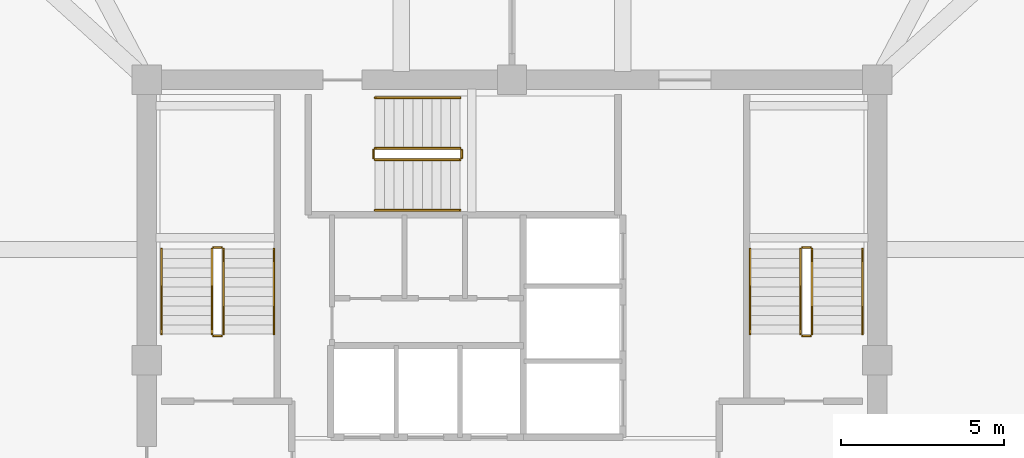
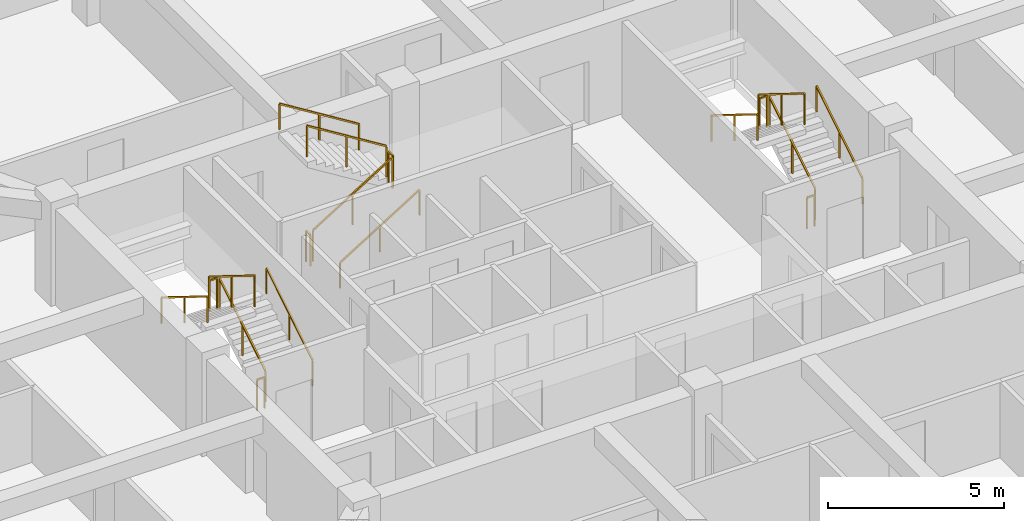
# One storey, part 13 of 13: 18 railings.
"""IFC4 building model written with IfcOpenShell, lengths in metres."""

from ifc_helpers import new_model, si_unit, derived_unit, direction, frame, origin, origin_2d, place, context, subcontext, project, spatial, rectangle, extrude, material, type_object, element, save


model = new_model("IFC4")

# Units and contexts
model_context = context("Model", 3, precision=1e-05, world=origin(), true_north=direction((0.0, 1.0)))
body_context = subcontext(model_context, "Body", "Model", "MODEL_VIEW")
ifc_project = project(units=[si_unit("LENGTHUNIT", "METRE"), si_unit("AREAUNIT", "SQUARE_METRE"), si_unit("VOLUMEUNIT", "CUBIC_METRE"), si_unit("PLANEANGLEUNIT", "RADIAN"), si_unit("MASSUNIT", "GRAM", prefix="KILO"), derived_unit("THERMALTRANSMITTANCEUNIT", [(si_unit("POWERUNIT", "WATT"), 1), (si_unit("LENGTHUNIT", "METRE"), -2), (si_unit("THERMODYNAMICTEMPERATUREUNIT", "KELVIN"), -1)])], contexts=[model_context])

# Site, building, storey
site_placement = place(None, origin())
site = spatial("IfcSite", under=ifc_project, at=site_placement, CompositionType="ELEMENT")
building_placement = place(site_placement, origin())
building = spatial("IfcBuilding", under=site, at=building_placement, Name="Koralith Skygarden Medical Center", CompositionType="ELEMENT")
storey_placement = place(building_placement, frame((0.0, 0.0, 250.02001953125)))
storey = spatial("IfcBuildingStorey", under=building, at=storey_placement, Name="L64", CompositionType="ELEMENT", Elevation=250.02001953125)

# Railings
ifc_material = material(Name="Steel ASTM A500 Grade C", Category="steel")
railing_type_1 = type_object("IfcRailingType", Name="Stair Flight Tubular Handrail 920", PredefinedType="HANDRAIL", material=ifc_material)
railing_1_placement = place(storey_placement, frame((29.699951171875, 26.699951171875, 0.179931640625)))
element("IfcRailing", 1, at=railing_1_placement, inside=storey, type_object=railing_type_1, Name="L64 ST1 stair handrail 1", PredefinedType="HANDRAIL", context=body_context, shape_type="SweptSolid", body=[
    extrude(rectangle(XDim=0.050048828125, YDim=0.050048828125, at=origin_2d()), frame((0.0, 0.001708984375, 0.89599609375), z_axis=(0.0, 0.849632798774, 0.527374731332), x_axis=(-1.0, 0.0, 0.0)), (0.0, 0.0, 1.0), 3.068115234375),
    extrude(rectangle(XDim=0.0419921875, YDim=0.0419921875, at=origin_2d()), origin(), (0.0, 0.0, 1.0), 0.867919921875),
    extrude(rectangle(XDim=0.0419921875, YDim=0.0419921875, at=origin_2d()), frame((0.0, 1.30517578125, 0.81005859375)), (0.0, 0.0, 1.0), 0.867919921875),
    extrude(rectangle(XDim=0.0419921875, YDim=0.0419921875, at=origin_2d()), frame((0.0, 2.610107421875, 1.6201171875)), (0.0, 0.0, 1.0), 0.867919921875),
])
railing_2_placement = place(storey_placement, frame((26.25, 29.31005859375, 1.97998046875)))
element("IfcRailing", 2, at=railing_2_placement, inside=storey, type_object=railing_type_1, Name="L64 ST1 stair handrail 2", PredefinedType="HANDRAIL", context=body_context, shape_type="SweptSolid", body=[
    extrude(rectangle(XDim=0.050048828125, YDim=0.050048828125, at=origin_2d()), frame((0.0, -0.001708984375, 0.89599609375), z_axis=(0.0, -0.849632798774, 0.527374731332), x_axis=(1.0, 0.0, 0.0)), (0.0, 0.0, 1.0), 3.068115234375),
    extrude(rectangle(XDim=0.0419921875, YDim=0.0419921875, at=origin_2d()), origin(), (0.0, 0.0, 1.0), 0.867919921875),
    extrude(rectangle(XDim=0.0419921875, YDim=0.0419921875, at=origin_2d()), frame((0.0, -1.30517578125, 0.81005859375)), (0.0, 0.0, 1.0), 0.867919921875),
    extrude(rectangle(XDim=0.0419921875, YDim=0.0419921875, at=origin_2d()), frame((0.0, -2.610107421875, 1.6201171875)), (0.0, 0.0, 1.0), 0.867919921875),
])
railing_3_placement = place(storey_placement, frame((47.75, 26.699951171875, 0.179931640625)))
element("IfcRailing", 3, at=railing_3_placement, inside=storey, type_object=railing_type_1, Name="L64 ST2 stair handrail 1", PredefinedType="HANDRAIL", context=body_context, shape_type="SweptSolid", body=[
    extrude(rectangle(XDim=0.050048828125, YDim=0.050048828125, at=origin_2d()), frame((0.0, 0.001708984375, 0.89599609375), z_axis=(0.0, 0.849632798774, 0.527374731332), x_axis=(-1.0, 0.0, 0.0)), (0.0, 0.0, 1.0), 3.068115234375),
    extrude(rectangle(XDim=0.0419921875, YDim=0.0419921875, at=origin_2d()), origin(), (0.0, 0.0, 1.0), 0.867919921875),
    extrude(rectangle(XDim=0.0419921875, YDim=0.0419921875, at=origin_2d()), frame((0.0, 1.30517578125, 0.81005859375)), (0.0, 0.0, 1.0), 0.867919921875),
    extrude(rectangle(XDim=0.0419921875, YDim=0.0419921875, at=origin_2d()), frame((0.0, 2.610107421875, 1.6201171875)), (0.0, 0.0, 1.0), 0.867919921875),
])
railing_4_placement = place(storey_placement, frame((44.300048828125, 29.31005859375, 1.97998046875)))
element("IfcRailing", 4, at=railing_4_placement, inside=storey, type_object=railing_type_1, Name="L64 ST2 stair handrail 2", PredefinedType="HANDRAIL", context=body_context, shape_type="SweptSolid", body=[
    extrude(rectangle(XDim=0.050048828125, YDim=0.050048828125, at=origin_2d()), frame((0.0, -0.001708984375, 0.89599609375), z_axis=(0.0, -0.849632798774, 0.527374731332), x_axis=(1.0, 0.0, 0.0)), (0.0, 0.0, 1.0), 3.068115234375),
    extrude(rectangle(XDim=0.0419921875, YDim=0.0419921875, at=origin_2d()), origin(), (0.0, 0.0, 1.0), 0.867919921875),
    extrude(rectangle(XDim=0.0419921875, YDim=0.0419921875, at=origin_2d()), frame((0.0, -1.30517578125, 0.81005859375)), (0.0, 0.0, 1.0), 0.867919921875),
    extrude(rectangle(XDim=0.0419921875, YDim=0.0419921875, at=origin_2d()), frame((0.0, -2.610107421875, 1.6201171875)), (0.0, 0.0, 1.0), 0.867919921875),
])
railing_5_placement = place(storey_placement, frame((32.800048828125, 30.5, 0.179931640625)))
element("IfcRailing", 5, at=railing_5_placement, inside=storey, type_object=railing_type_1, Name="L64 ST3 stair handrail 1", PredefinedType="HANDRAIL", context=body_context, shape_type="SweptSolid", body=[
    extrude(rectangle(XDim=0.050048828125, YDim=0.050048828125, at=origin_2d()), frame((0.001708984375, 0.0, 0.89599609375), z_axis=(0.849610693518, 0.0, 0.52741034258), x_axis=(0.0, 1.0, 0.0)), (0.0, 0.0, 1.0), 3.06787109375),
    extrude(rectangle(XDim=0.0419921875, YDim=0.0419921875, at=origin_2d()), origin(), (0.0, 0.0, 1.0), 0.867919921875),
    extrude(rectangle(XDim=0.0419921875, YDim=0.0419921875, at=origin_2d()), frame((1.304931640625, 0.0, 0.81005859375)), (0.0, 0.0, 1.0), 0.867919921875),
    extrude(rectangle(XDim=0.0419921875, YDim=0.0419921875, at=origin_2d()), frame((2.60986328125, 0.0, 1.6201171875)), (0.0, 0.0, 1.0), 0.867919921875),
])
railing_6_placement = place(storey_placement, frame((35.409912109375, 33.949951171875, 1.97998046875)))
element("IfcRailing", 6, at=railing_6_placement, inside=storey, type_object=railing_type_1, Name="L64 ST3 stair handrail 2", PredefinedType="HANDRAIL", context=body_context, shape_type="SweptSolid", body=[
    extrude(rectangle(XDim=0.050048828125, YDim=0.050048828125, at=origin_2d()), frame((-0.001708984375, 0.0, 0.89599609375), z_axis=(-0.849610693518, 0.0, 0.52741034258), x_axis=(0.0, -1.0, 0.0)), (0.0, 0.0, 1.0), 3.06787109375),
    extrude(rectangle(XDim=0.0419921875, YDim=0.0419921875, at=origin_2d()), origin(), (0.0, 0.0, 1.0), 0.867919921875),
    extrude(rectangle(XDim=0.0419921875, YDim=0.0419921875, at=origin_2d()), frame((-1.304931640625, 0.0, 0.81005859375)), (0.0, 0.0, 1.0), 0.867919921875),
    extrude(rectangle(XDim=0.0419921875, YDim=0.0419921875, at=origin_2d()), frame((-2.60986328125, 0.0, 1.6201171875)), (0.0, 0.0, 1.0), 0.867919921875),
])
railing_type_2 = type_object("IfcRailingType", Name="Stair Well Safety Guardrail 1100", PredefinedType="GUARDRAIL", material=ifc_material)
railing_7_placement = place(storey_placement, frame((28.14990234375, 26.699951171875, 0.179931640625)))
element("IfcRailing", 7, at=railing_7_placement, inside=storey, type_object=railing_type_2, Name="L64 ST1 stair guard 1", PredefinedType="GUARDRAIL", context=body_context, shape_type="SweptSolid", body=[
    extrude(rectangle(XDim=0.050048828125, YDim=0.050048828125, at=origin_2d()), frame((0.0, 0.001708984375, 1.076171875), z_axis=(0.0, 0.849632798774, 0.527374731332), x_axis=(-1.0, 0.0, 0.0)), (0.0, 0.0, 1.0), 3.068115234375),
    extrude(rectangle(XDim=0.0419921875, YDim=0.0419921875, at=origin_2d()), origin(), (0.0, 0.0, 1.0), 1.048095703125),
    extrude(rectangle(XDim=0.0419921875, YDim=0.0419921875, at=origin_2d()), frame((0.0, 1.30517578125, 0.81005859375)), (0.0, 0.0, 1.0), 1.048095703125),
    extrude(rectangle(XDim=0.0419921875, YDim=0.0419921875, at=origin_2d()), frame((0.0, 2.610107421875, 1.6201171875)), (0.0, 0.0, 1.0), 1.048095703125),
])
railing_8_placement = place(storey_placement, frame((28.10009765625, 29.360107421875, 1.800048828125)))
element("IfcRailing", 8, at=railing_8_placement, inside=storey, type_object=railing_type_2, Name="L64 ST1 stair guard 2", PredefinedType="GUARDRAIL", context=body_context, shape_type="SweptSolid", body=[
    extrude(rectangle(XDim=0.050048828125, YDim=0.050048828125, at=origin_2d()), frame((-0.001953125, 0.0, 1.0751953125), z_axis=(-1.0, 0.0, 0.0), x_axis=(0.0, -1.0, 0.0)), (0.0, 0.0, 1.0), 0.24609375),
    extrude(rectangle(XDim=0.0419921875, YDim=0.0419921875, at=origin_2d()), origin(), (0.0, 0.0, 1.0), 1.048095703125),
    extrude(rectangle(XDim=0.0419921875, YDim=0.0419921875, at=origin_2d()), frame((-0.25, 0.0, 0.0)), (0.0, 0.0, 1.0), 1.048095703125),
])
railing_9_placement = place(storey_placement, frame((27.800048828125, 29.31005859375, 1.97998046875)))
element("IfcRailing", 9, at=railing_9_placement, inside=storey, type_object=railing_type_2, Name="L64 ST1 stair guard 3", PredefinedType="GUARDRAIL", context=body_context, shape_type="SweptSolid", body=[
    extrude(rectangle(XDim=0.050048828125, YDim=0.050048828125, at=origin_2d()), frame((0.0, -0.001708984375, 1.076171875), z_axis=(0.0, -0.849632798774, 0.527374731332), x_axis=(1.0, 0.0, 0.0)), (0.0, 0.0, 1.0), 3.068115234375),
    extrude(rectangle(XDim=0.0419921875, YDim=0.0419921875, at=origin_2d()), origin(), (0.0, 0.0, 1.0), 1.048095703125),
    extrude(rectangle(XDim=0.0419921875, YDim=0.0419921875, at=origin_2d()), frame((0.0, -1.30517578125, 0.81005859375)), (0.0, 0.0, 1.0), 1.048095703125),
    extrude(rectangle(XDim=0.0419921875, YDim=0.0419921875, at=origin_2d()), frame((0.0, -2.610107421875, 1.6201171875)), (0.0, 0.0, 1.0), 1.048095703125),
])
railing_10_placement = place(storey_placement, frame((28.10009765625, 26.64990234375, 0.0)))
element("IfcRailing", 10, at=railing_10_placement, inside=storey, type_object=railing_type_2, Name="L64 ST1 stair guard 4", PredefinedType="GUARDRAIL", context=body_context, shape_type="SweptSolid", body=[
    extrude(rectangle(XDim=0.050048828125, YDim=0.050048828125, at=origin_2d()), frame((-0.001953125, 0.0, 1.0751953125), z_axis=(-1.0, 0.0, 0.0), x_axis=(0.0, -1.0, 0.0)), (0.0, 0.0, 1.0), 0.24609375),
    extrude(rectangle(XDim=0.0419921875, YDim=0.0419921875, at=origin_2d()), origin(), (0.0, 0.0, 1.0), 1.048095703125),
    extrude(rectangle(XDim=0.0419921875, YDim=0.0419921875, at=origin_2d()), frame((-0.25, 0.0, 0.0)), (0.0, 0.0, 1.0), 1.048095703125),
])
railing_11_placement = place(storey_placement, frame((46.199951171875, 26.699951171875, 0.179931640625)))
element("IfcRailing", 11, at=railing_11_placement, inside=storey, type_object=railing_type_2, Name="L64 ST2 stair guard 1", PredefinedType="GUARDRAIL", context=body_context, shape_type="SweptSolid", body=[
    extrude(rectangle(XDim=0.050048828125, YDim=0.050048828125, at=origin_2d()), frame((0.0, 0.001708984375, 1.076171875), z_axis=(0.0, 0.849632798774, 0.527374731332), x_axis=(-1.0, 0.0, 0.0)), (0.0, 0.0, 1.0), 3.068115234375),
    extrude(rectangle(XDim=0.0419921875, YDim=0.0419921875, at=origin_2d()), origin(), (0.0, 0.0, 1.0), 1.048095703125),
    extrude(rectangle(XDim=0.0419921875, YDim=0.0419921875, at=origin_2d()), frame((0.0, 1.30517578125, 0.81005859375)), (0.0, 0.0, 1.0), 1.048095703125),
    extrude(rectangle(XDim=0.0419921875, YDim=0.0419921875, at=origin_2d()), frame((0.0, 2.610107421875, 1.6201171875)), (0.0, 0.0, 1.0), 1.048095703125),
])
railing_12_placement = place(storey_placement, frame((46.14990234375, 29.360107421875, 1.800048828125)))
element("IfcRailing", 12, at=railing_12_placement, inside=storey, type_object=railing_type_2, Name="L64 ST2 stair guard 2", PredefinedType="GUARDRAIL", context=body_context, shape_type="SweptSolid", body=[
    extrude(rectangle(XDim=0.050048828125, YDim=0.050048828125, at=origin_2d()), frame((-0.001953125, 0.0, 1.0751953125), z_axis=(-1.0, 0.0, 0.0), x_axis=(0.0, -1.0, 0.0)), (0.0, 0.0, 1.0), 0.24609375),
    extrude(rectangle(XDim=0.0419921875, YDim=0.0419921875, at=origin_2d()), origin(), (0.0, 0.0, 1.0), 1.048095703125),
    extrude(rectangle(XDim=0.0419921875, YDim=0.0419921875, at=origin_2d()), frame((-0.25, 0.0, 0.0)), (0.0, 0.0, 1.0), 1.048095703125),
])
railing_13_placement = place(storey_placement, frame((45.85009765625, 29.31005859375, 1.97998046875)))
element("IfcRailing", 13, at=railing_13_placement, inside=storey, type_object=railing_type_2, Name="L64 ST2 stair guard 3", PredefinedType="GUARDRAIL", context=body_context, shape_type="SweptSolid", body=[
    extrude(rectangle(XDim=0.050048828125, YDim=0.050048828125, at=origin_2d()), frame((0.0, -0.001708984375, 1.076171875), z_axis=(0.0, -0.849632798774, 0.527374731332), x_axis=(1.0, 0.0, 0.0)), (0.0, 0.0, 1.0), 3.068115234375),
    extrude(rectangle(XDim=0.0419921875, YDim=0.0419921875, at=origin_2d()), origin(), (0.0, 0.0, 1.0), 1.048095703125),
    extrude(rectangle(XDim=0.0419921875, YDim=0.0419921875, at=origin_2d()), frame((0.0, -1.30517578125, 0.81005859375)), (0.0, 0.0, 1.0), 1.048095703125),
    extrude(rectangle(XDim=0.0419921875, YDim=0.0419921875, at=origin_2d()), frame((0.0, -2.610107421875, 1.6201171875)), (0.0, 0.0, 1.0), 1.048095703125),
])
railing_14_placement = place(storey_placement, frame((46.14990234375, 26.64990234375, 0.0)))
element("IfcRailing", 14, at=railing_14_placement, inside=storey, type_object=railing_type_2, Name="L64 ST2 stair guard 4", PredefinedType="GUARDRAIL", context=body_context, shape_type="SweptSolid", body=[
    extrude(rectangle(XDim=0.050048828125, YDim=0.050048828125, at=origin_2d()), frame((-0.001953125, 0.0, 1.0751953125), z_axis=(-1.0, 0.0, 0.0), x_axis=(0.0, -1.0, 0.0)), (0.0, 0.0, 1.0), 0.24609375),
    extrude(rectangle(XDim=0.0419921875, YDim=0.0419921875, at=origin_2d()), origin(), (0.0, 0.0, 1.0), 1.048095703125),
    extrude(rectangle(XDim=0.0419921875, YDim=0.0419921875, at=origin_2d()), frame((-0.25, 0.0, 0.0)), (0.0, 0.0, 1.0), 1.048095703125),
])
railing_15_placement = place(storey_placement, frame((32.800048828125, 32.050048828125, 0.179931640625)))
element("IfcRailing", 15, at=railing_15_placement, inside=storey, type_object=railing_type_2, Name="L64 ST3 stair guard 1", PredefinedType="GUARDRAIL", context=body_context, shape_type="SweptSolid", body=[
    extrude(rectangle(XDim=0.050048828125, YDim=0.050048828125, at=origin_2d()), frame((0.001708984375, 0.0, 1.076171875), z_axis=(0.849610693518, 0.0, 0.52741034258), x_axis=(0.0, 1.0, 0.0)), (0.0, 0.0, 1.0), 3.06787109375),
    extrude(rectangle(XDim=0.0419921875, YDim=0.0419921875, at=origin_2d()), origin(), (0.0, 0.0, 1.0), 1.048095703125),
    extrude(rectangle(XDim=0.0419921875, YDim=0.0419921875, at=origin_2d()), frame((1.304931640625, 0.0, 0.81005859375)), (0.0, 0.0, 1.0), 1.048095703125),
    extrude(rectangle(XDim=0.0419921875, YDim=0.0419921875, at=origin_2d()), frame((2.60986328125, 0.0, 1.6201171875)), (0.0, 0.0, 1.0), 1.048095703125),
])
railing_16_placement = place(storey_placement, frame((35.4599609375, 32.10009765625, 1.800048828125)))
element("IfcRailing", 16, at=railing_16_placement, inside=storey, type_object=railing_type_2, Name="L64 ST3 stair guard 2", PredefinedType="GUARDRAIL", context=body_context, shape_type="SweptSolid", body=[
    extrude(rectangle(XDim=0.050048828125, YDim=0.050048828125, at=origin_2d()), frame((0.0, 0.001953125, 1.0751953125), z_axis=(0.0, 1.0, 0.0), x_axis=(-1.0, 0.0, 0.0)), (0.0, 0.0, 1.0), 0.24609375),
    extrude(rectangle(XDim=0.0419921875, YDim=0.0419921875, at=origin_2d()), origin(), (0.0, 0.0, 1.0), 1.048095703125),
    extrude(rectangle(XDim=0.0419921875, YDim=0.0419921875, at=origin_2d()), frame((0.0, 0.25, 0.0)), (0.0, 0.0, 1.0), 1.048095703125),
])
railing_17_placement = place(storey_placement, frame((35.409912109375, 32.39990234375, 1.97998046875)))
element("IfcRailing", 17, at=railing_17_placement, inside=storey, type_object=railing_type_2, Name="L64 ST3 stair guard 3", PredefinedType="GUARDRAIL", context=body_context, shape_type="SweptSolid", body=[
    extrude(rectangle(XDim=0.050048828125, YDim=0.050048828125, at=origin_2d()), frame((-0.001708984375, 0.0, 1.076171875), z_axis=(-0.849610693518, 0.0, 0.52741034258), x_axis=(0.0, -1.0, 0.0)), (0.0, 0.0, 1.0), 3.06787109375),
    extrude(rectangle(XDim=0.0419921875, YDim=0.0419921875, at=origin_2d()), origin(), (0.0, 0.0, 1.0), 1.048095703125),
    extrude(rectangle(XDim=0.0419921875, YDim=0.0419921875, at=origin_2d()), frame((-1.304931640625, 0.0, 0.81005859375)), (0.0, 0.0, 1.0), 1.048095703125),
    extrude(rectangle(XDim=0.0419921875, YDim=0.0419921875, at=origin_2d()), frame((-2.60986328125, 0.0, 1.6201171875)), (0.0, 0.0, 1.0), 1.048095703125),
])
railing_18_placement = place(storey_placement, frame((32.75, 32.10009765625, 0.0)))
element("IfcRailing", 18, at=railing_18_placement, inside=storey, type_object=railing_type_2, Name="L64 ST3 stair guard 4", PredefinedType="GUARDRAIL", context=body_context, shape_type="SweptSolid", body=[
    extrude(rectangle(XDim=0.050048828125, YDim=0.050048828125, at=origin_2d()), frame((0.0, 0.001953125, 1.0751953125), z_axis=(0.0, 1.0, 0.0), x_axis=(-1.0, 0.0, 0.0)), (0.0, 0.0, 1.0), 0.24609375),
    extrude(rectangle(XDim=0.0419921875, YDim=0.0419921875, at=origin_2d()), origin(), (0.0, 0.0, 1.0), 1.048095703125),
    extrude(rectangle(XDim=0.0419921875, YDim=0.0419921875, at=origin_2d()), frame((0.0, 0.25, 0.0)), (0.0, 0.0, 1.0), 1.048095703125),
])

save(model, "model.ifc")
